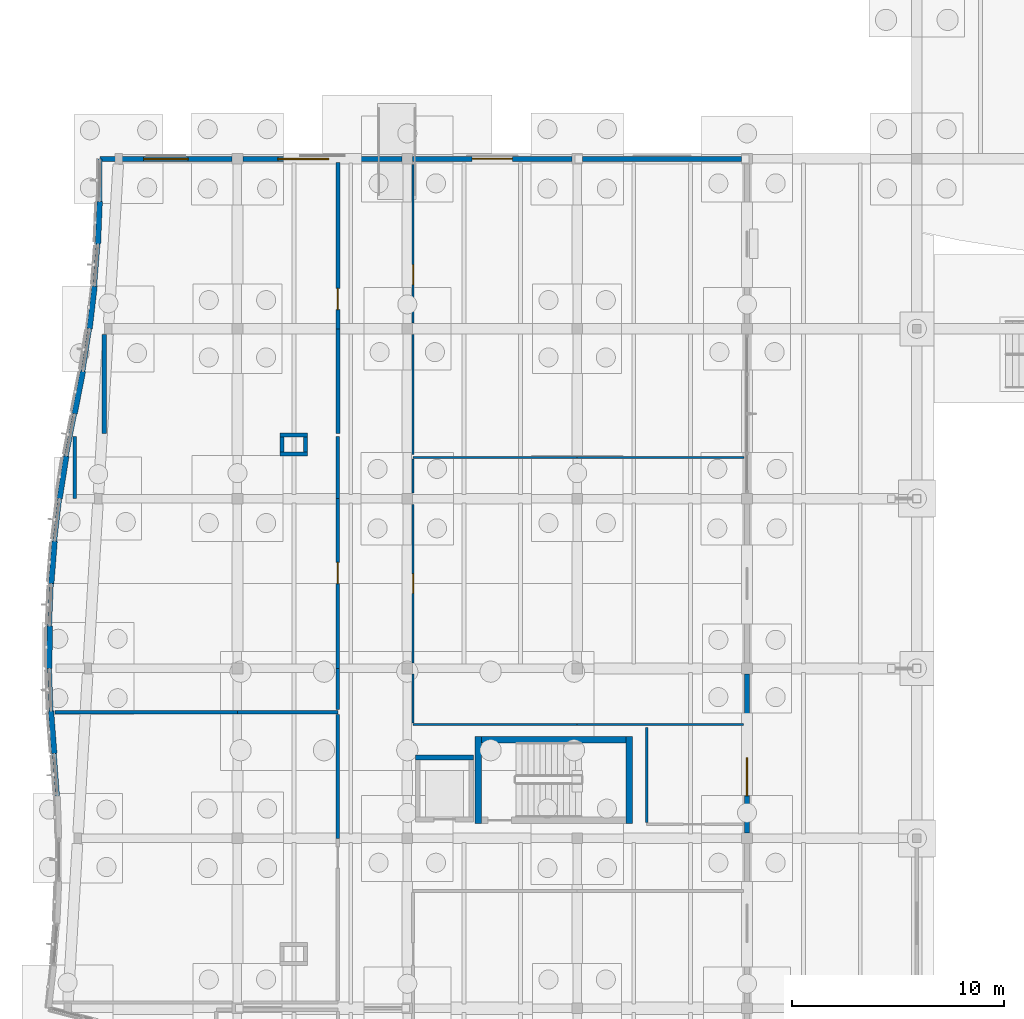
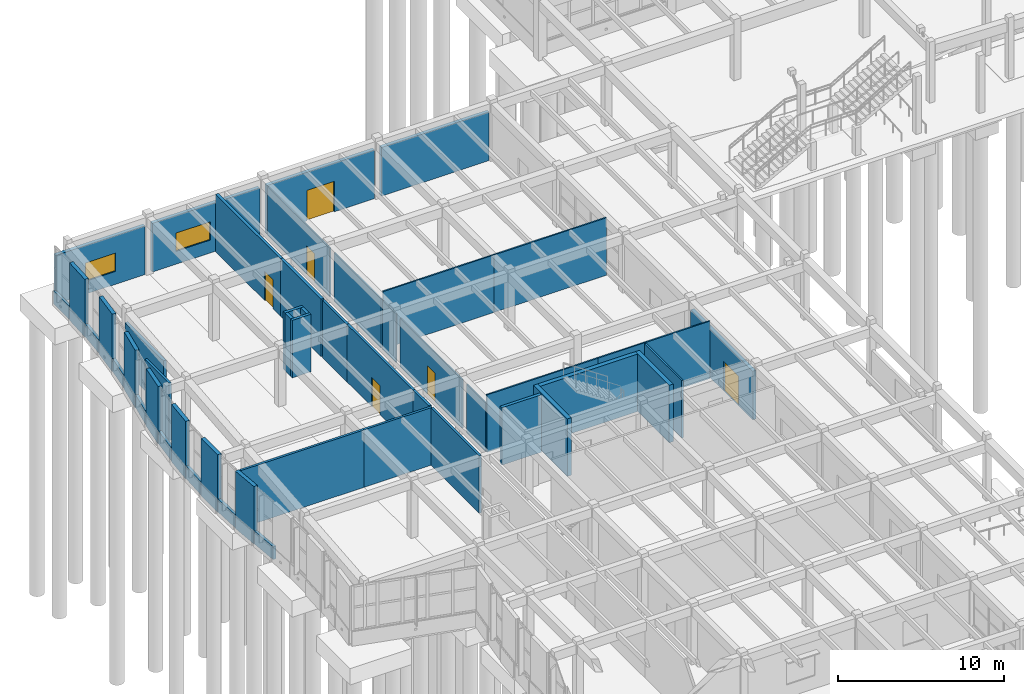
# One storey, part 64 of 99: 48 walls, 6 doors, 2 windows, 8 openings.
"""IFC4 building model written with IfcOpenShell, lengths in metres."""

from ifc_helpers import new_model, si_unit, direction, frame, frame_2d, origin, place, context, subcontext, project, spatial, rectangle, extrude, material, layer, layer_set, type_object, element, fill, save


model = new_model("IFC4")

# Units and contexts
model_context = context("Model", 3, precision=1e-05, world=origin(), true_north=direction((0.0, 1.0)))
body_context = subcontext(model_context, "Body", "Model", "MODEL_VIEW")
ifc_project = project(units=[si_unit("LENGTHUNIT", "METRE"), si_unit("AREAUNIT", "SQUARE_METRE"), si_unit("VOLUMEUNIT", "CUBIC_METRE"), si_unit("PLANEANGLEUNIT", "RADIAN"), si_unit("MASSUNIT", "GRAM", prefix="KILO")], contexts=[model_context])

# Site, building, storey
site_placement = place(None, origin())
site = spatial("IfcSite", under=ifc_project, at=site_placement, CompositionType="ELEMENT")
building_placement = place(site_placement, origin())
building = spatial("IfcBuilding", under=site, at=building_placement, Name="Tonlespit Floodbar School", CompositionType="ELEMENT")
storey_placement = place(building_placement, origin())
storey = spatial("IfcBuildingStorey", under=building, at=storey_placement, Name="L00", CompositionType="ELEMENT", Elevation=0.0)

# Walls
ifc_material_1 = material(Name="Concrete C40/50", Category="concrete")
ifc_layer_1 = layer(ifc_material_1, 0.300048828125)
ifc_layer_set_1 = layer_set([ifc_layer_1], Name="Concrete C40/50")
wall_type_1 = type_object("IfcWallType", Name="CoreWall_RC_300", PredefinedType="SHEAR", material=ifc_layer_set_1)
for number, where, z_axis, x_axis, name in (
    (1, (23.35009765625, 64.699951171875, 0.0), (0.0, 0.0, 1.0), (0.0, 1.0, 0.0), "L00 core C3 shear wall NEAR"),
    (2, (30.449951171875, 68.800048828125, 0.0), (0.0, 0.0, 1.0), (0.0, -1.0, 0.0), "L00 core C3 shear wall FAR"),
):
    element("IfcWall", number, at=place(storey_placement, frame(where, z_axis=z_axis, x_axis=x_axis)), inside=storey, type_object=wall_type_1, Name=name, PredefinedType="SHEAR", context=body_context, shape_type="SweptSolid", body=[
        extrude(rectangle(XDim=4.10009765625, YDim=0.300048828125, at=frame_2d((2.050048828125, 0.0))), origin(), (0.0, 0.0, 1.0), 4.239990234375),
    ])
wall_1_placement = place(storey_placement, frame((30.300048828125, 68.64990234375, 0.0), z_axis=(0.0, 0.0, 1.0), x_axis=(-1.0, 0.0, 0.0)))
element("IfcWall", 3, at=wall_1_placement, inside=storey, type_object=wall_type_1, Name="L00 core C3 shear wall RGHT", PredefinedType="SHEAR", context=body_context, shape_type="SweptSolid", body=[
    extrude(rectangle(XDim=6.800048828125, YDim=0.300048828125, at=frame_2d((3.39990234375, 0.0))), origin(), (0.0, 0.0, 1.0), 4.239990234375),
])

# Wall, opening, window
ifc_material_2 = material(Name="Precast concrete C40/50", Category="concrete")
ifc_layer_2 = layer(ifc_material_2, 0.239990234375)
ifc_layer_set_2 = layer_set([ifc_layer_2], Name="Precast concrete C40/50")
wall_type_2 = type_object("IfcWallType", Name="ExtWall_Rainscreen_240", PredefinedType="SOLIDWALL", material=ifc_layer_set_2)
wall_2_placement = place(storey_placement, frame((5.514892578125, 96.0, 0.0), z_axis=(0.0, 0.0, 1.0), x_axis=(1.0, 0.0, 0.0)))
wall_2 = element("IfcWall", 4, at=wall_2_placement, inside=storey, type_object=wall_type_2, Name="L00 external wall 0319", PredefinedType="SOLIDWALL", context=body_context, shape_type="SweptSolid", body=[
    extrude(rectangle(XDim=6.235107421875, YDim=0.239990234375, at=frame_2d((3.11767578125, 0.0))), origin(), (0.0, 0.0, 1.0), 3.590087890625),
])
opening_1_placement = place(wall_2_placement, frame((2.0673828125, 0.0, 0.949951171875)))
opening_1 = element("IfcOpeningElement", 5, at=opening_1_placement, cuts=wall_2, Name="Opening W-L00-019", PredefinedType="OPENING", context=body_context, shape_type="SweptSolid", body=[
    extrude(rectangle(XDim=2.10009765625, YDim=1.35009765625, at=frame_2d((1.050048828125, 0.675048828125))), frame((0.0, 0.1298828125, 0.0), z_axis=(0.0, -1.0, 0.0), x_axis=(1.0, 0.0, 0.0)), (0.0, 0.0, 1.0), 0.260009765625),
])
ifc_material_3 = material(Name="Tempered Double Glazing", Category="glass")
window_type_1 = type_object("IfcWindowType", Name="Win_Mod_2100x1350", PartitioningType="DOUBLE_PANEL_VERTICAL", PredefinedType="WINDOW", material=ifc_material_3)
window_1_placement = place(opening_1_placement, origin())
window_1 = element("IfcWindow", 6, at=window_1_placement, inside=storey, type_object=window_type_1, Name="L00 window W-L00-019", OverallHeight=1.35009765625, OverallWidth=2.10009765625, PartitioningType="DOUBLE_PANEL_VERTICAL", PredefinedType="WINDOW", context=body_context, shape_type="SweptSolid", body=[
    extrude(rectangle(XDim=2.10009765625, YDim=1.35009765625, at=frame_2d((1.050048828125, 0.675048828125))), frame((0.0, 0.030029296875, 0.0), z_axis=(0.0, -1.0, 0.0), x_axis=(1.0, 0.0, 0.0)), (0.0, 0.0, 1.0), 0.06005859375),
])
fill(opening_1, window_1)

wall_3_placement = place(storey_placement, frame((12.25, 96.0, 0.0), z_axis=(0.0, 0.0, 1.0), x_axis=(1.0, 0.0, 0.0)))
wall_3 = element("IfcWall", 7, at=wall_3_placement, inside=storey, type_object=wall_type_2, Name="L00 external wall 0320", PredefinedType="SOLIDWALL", context=body_context, shape_type="SweptSolid", body=[
    extrude(rectangle(XDim=7.5, YDim=0.239990234375, at=frame_2d((3.75, 0.0))), origin(), (0.0, 0.0, 1.0), 3.590087890625),
])
opening_2_placement = place(wall_3_placement, frame((1.64990234375, 0.0, 0.949951171875)))
opening_2 = element("IfcOpeningElement", 8, at=opening_2_placement, cuts=wall_3, Name="Opening W-L00-020", PredefinedType="OPENING", context=body_context, shape_type="SweptSolid", body=[
    extrude(rectangle(XDim=2.39990234375, YDim=1.35009765625, at=frame_2d((1.199951171875, 0.675048828125))), frame((0.0, 0.1298828125, 0.0), z_axis=(0.0, -1.0, 0.0), x_axis=(1.0, 0.0, 0.0)), (0.0, 0.0, 1.0), 0.260009765625),
])
window_type_2 = type_object("IfcWindowType", Name="Win_Mod_2400x1350", PartitioningType="DOUBLE_PANEL_VERTICAL", PredefinedType="WINDOW", material=ifc_material_3)
window_2_placement = place(opening_2_placement, origin())
window_2 = element("IfcWindow", 9, at=window_2_placement, inside=storey, type_object=window_type_2, Name="L00 window W-L00-020", OverallHeight=1.35009765625, OverallWidth=2.39990234375, PartitioningType="DOUBLE_PANEL_VERTICAL", PredefinedType="WINDOW", context=body_context, shape_type="SweptSolid", body=[
    extrude(rectangle(XDim=2.39990234375, YDim=1.35009765625, at=frame_2d((1.199951171875, 0.675048828125))), frame((0.0, 0.030029296875, 0.0), z_axis=(0.0, -1.0, 0.0), x_axis=(1.0, 0.0, 0.0)), (0.0, 0.0, 1.0), 0.06005859375),
])
fill(opening_2, window_2)

# Wall, opening, door
wall_4_placement = place(storey_placement, frame((20.25, 96.0, 0.0), z_axis=(0.0, 0.0, 1.0), x_axis=(1.0, 0.0, 0.0)))
wall_4 = element("IfcWall", 10, at=wall_4_placement, inside=storey, type_object=wall_type_2, Name="L00 external wall 0321", PredefinedType="SOLIDWALL", context=body_context, shape_type="SweptSolid", body=[
    extrude(rectangle(XDim=7.5, YDim=0.239990234375, at=frame_2d((3.75, 0.0))), origin(), (0.0, 0.0, 1.0), 3.590087890625),
])
opening_3_placement = place(wall_4_placement, frame((2.800048828125, 0.0, 0.0)))
opening_3 = element("IfcOpeningElement", 11, at=opening_3_placement, cuts=wall_4, Name="Opening D-EX-013", PredefinedType="OPENING", context=body_context, shape_type="SweptSolid", body=[
    extrude(rectangle(XDim=1.89990234375, YDim=2.25, at=frame_2d((0.949951171875, 1.125))), frame((0.0, 0.1298828125, 0.0), z_axis=(0.0, -1.0, 0.0), x_axis=(1.0, 0.0, 0.0)), (0.0, 0.0, 1.0), 0.260009765625),
])
ifc_material_4 = material(Name="Anodised Aluminium", Category="aluminium")
door_type_1 = type_object("IfcDoorType", Name="ExtDoor_Exit_1900x2250", OperationType="NOTDEFINED", PredefinedType="DOOR", material=ifc_material_4)
door_1_placement = place(opening_3_placement, origin())
door_1 = element("IfcDoor", 12, at=door_1_placement, inside=storey, type_object=door_type_1, Name="Final exit door D-EX-013", OperationType="SINGLE_SWING_LEFT", OverallHeight=2.25, OverallWidth=1.89990234375, PredefinedType="DOOR", context=body_context, shape_type="SweptSolid", body=[
    extrude(rectangle(XDim=1.89990234375, YDim=2.25, at=frame_2d((0.949951171875, 1.125))), frame((0.0, 0.02490234375, 0.0), z_axis=(0.0, -1.0, 0.0), x_axis=(1.0, 0.0, 0.0)), (0.0, 0.0, 1.0), 0.050048828125),
])
fill(opening_3, door_1)

# Wall
wall_5_placement = place(storey_placement, frame((28.25, 96.0, 0.0), z_axis=(0.0, 0.0, 1.0), x_axis=(1.0, 0.0, 0.0)))
element("IfcWall", 13, at=wall_5_placement, inside=storey, type_object=wall_type_2, Name="L00 external wall 0322", PredefinedType="SOLIDWALL", context=body_context, shape_type="SweptSolid", body=[
    extrude(rectangle(XDim=7.5, YDim=0.239990234375, at=frame_2d((3.75, 0.0))), origin(), (0.0, 0.0, 1.0), 3.590087890625),
])

# Wall, opening, door
wall_6_placement = place(storey_placement, frame((36.0, 71.75, 0.0), z_axis=(0.0, 0.0, 1.0), x_axis=(0.0, -1.0, 0.0)))
wall_6 = element("IfcWall", 14, at=wall_6_placement, inside=storey, type_object=wall_type_2, Name="L00 external wall 0326", PredefinedType="SOLIDWALL", context=body_context, shape_type="SweptSolid", body=[
    extrude(rectangle(XDim=7.5, YDim=0.239990234375, at=frame_2d((3.75, 0.0))), origin(), (0.0, 0.0, 1.0), 3.590087890625),
])
opening_4_placement = place(wall_6_placement, frame((3.949951171875, 0.0, 0.0)))
opening_4 = element("IfcOpeningElement", 15, at=opening_4_placement, cuts=wall_6, Name="Opening D-EX-014", PredefinedType="OPENING", context=body_context, shape_type="SweptSolid", body=[
    extrude(rectangle(XDim=1.800048828125, YDim=2.199951171875, at=frame_2d((0.89990234375, 1.10009765625))), frame((0.0, 0.1298828125, 0.0), z_axis=(0.0, -1.0, 0.0), x_axis=(1.0, 0.0, 0.0)), (0.0, 0.0, 1.0), 0.260009765625),
])
door_type_2 = type_object("IfcDoorType", Name="ExtDoor_Exit_1800x2200", OperationType="NOTDEFINED", PredefinedType="DOOR", material=ifc_material_4)
door_2_placement = place(opening_4_placement, origin())
door_2 = element("IfcDoor", 16, at=door_2_placement, inside=storey, type_object=door_type_2, Name="Final exit door D-EX-014", OperationType="SINGLE_SWING_RIGHT", OverallHeight=2.199951171875, OverallWidth=1.800048828125, PredefinedType="DOOR", context=body_context, shape_type="SweptSolid", body=[
    extrude(rectangle(XDim=1.800048828125, YDim=2.199951171875, at=frame_2d((0.89990234375, 1.10009765625))), frame((0.0, 0.02490234375, 0.0), z_axis=(0.0, -1.0, 0.0), x_axis=(1.0, 0.0, 0.0)), (0.0, 0.0, 1.0), 0.050048828125),
])
fill(opening_4, door_2)

# Walls
ifc_layer_3 = layer(ifc_material_2, 0.260009765625)
ifc_layer_set_3 = layer_set([ifc_layer_3], Name="Precast concrete C40/50")
wall_type_3 = type_object("IfcWallType", Name="ExtWall_Rainscreen_260", PredefinedType="SOLIDWALL", material=ifc_layer_set_3)
wall_7_placement = place(storey_placement, frame((3.3701171875, 68.0, 0.0), z_axis=(0.0, 0.0, 1.0), x_axis=(-0.075709813676, 0.9971298933, 0.0)))
element("IfcWall", 17, at=wall_7_placement, inside=storey, type_object=wall_type_3, Name="L00 external wall 0305", PredefinedType="SOLIDWALL", context=body_context, shape_type="SweptSolid", body=[
    extrude(rectangle(XDim=2.005859375, YDim=0.260009765625, at=frame_2d((1.0029296875, 0.0))), origin(), (0.0, 0.0, 1.0), 4.239990234375),
])
wall_8_placement = place(storey_placement, frame((3.14501953125, 72.0, 0.0), z_axis=(0.0, 0.0, 1.0), x_axis=(0.002197260321, 0.999997586021, 0.0)))
element("IfcWall", 18, at=wall_8_placement, inside=storey, type_object=wall_type_3, Name="L00 external wall 0307", PredefinedType="SOLIDWALL", context=body_context, shape_type="SweptSolid", body=[
    extrude(rectangle(XDim=2.0, YDim=0.260009765625, at=frame_2d((1.0, 0.0))), origin(), (0.0, 0.0, 1.0), 4.239990234375),
])
wall_9_placement = place(storey_placement, frame((3.23095703125, 76.0, 0.0), z_axis=(0.0, 0.0, 1.0), x_axis=(0.078976178075, 0.996876503533, 0.0)))
element("IfcWall", 19, at=wall_9_placement, inside=storey, type_object=wall_type_3, Name="L00 external wall 0309", PredefinedType="SOLIDWALL", context=body_context, shape_type="SweptSolid", body=[
    extrude(rectangle(XDim=2.00634765625, YDim=0.260009765625, at=frame_2d((1.003173828125, 0.0))), origin(), (0.0, 0.0, 1.0), 4.239990234375),
])
wall_10_placement = place(storey_placement, frame((3.625, 80.0, 0.0), z_axis=(0.0, 0.0, 1.0), x_axis=(0.15473004848, 0.987956786554, 0.0)))
element("IfcWall", 20, at=wall_10_placement, inside=storey, type_object=wall_type_3, Name="L00 external wall 0311", PredefinedType="SOLIDWALL", context=body_context, shape_type="SweptSolid", body=[
    extrude(rectangle(XDim=2.0244140625, YDim=0.260009765625, at=frame_2d((1.01220703125, 0.0))), origin(), (0.0, 0.0, 1.0), 4.239990234375),
])
wall_11_placement = place(storey_placement, frame((4.330078125, 84.0, 0.0), z_axis=(0.0, 0.0, 1.0), x_axis=(0.192152065658, 0.981365163262, 0.0)))
element("IfcWall", 21, at=wall_11_placement, inside=storey, type_object=wall_type_3, Name="L00 external wall 0313", PredefinedType="SOLIDWALL", context=body_context, shape_type="SweptSolid", body=[
    extrude(rectangle(XDim=2.0380859375, YDim=0.260009765625, at=frame_2d((1.01904296875, 0.0))), origin(), (0.0, 0.0, 1.0), 4.239990234375),
])
wall_12_placement = place(storey_placement, frame((5.034912109375, 88.0, 0.0), z_axis=(0.0, 0.0, 1.0), x_axis=(0.116988959085, 0.99313321536, 0.0)))
element("IfcWall", 22, at=wall_12_placement, inside=storey, type_object=wall_type_3, Name="L00 external wall 0315", PredefinedType="SOLIDWALL", context=body_context, shape_type="SweptSolid", body=[
    extrude(rectangle(XDim=2.013916015625, YDim=0.260009765625, at=frame_2d((1.0068359375, 0.0))), origin(), (0.0, 0.0, 1.0), 4.239990234375),
])
wall_13_placement = place(storey_placement, frame((5.42919921875, 92.0, 0.0), z_axis=(0.0, 0.0, 1.0), x_axis=(0.04061587159, 0.999174835039, 0.0)))
element("IfcWall", 23, at=wall_13_placement, inside=storey, type_object=wall_type_3, Name="L00 external wall 0317", PredefinedType="SOLIDWALL", context=body_context, shape_type="SweptSolid", body=[
    extrude(rectangle(XDim=2.001708984375, YDim=0.260009765625, at=frame_2d((1.0009765625, 0.0))), origin(), (0.0, 0.0, 1.0), 4.239990234375),
])
ifc_material_5 = material(Name="White Architectural Precast concrete C40/50", Category="concrete")
ifc_layer_4 = layer(ifc_material_5, 0.199951171875)
ifc_layer_set_4 = layer_set([ifc_layer_4], Name="White Architectural Precast concrete C40/50")
wall_type_4 = type_object("IfcWallType", Name="ExtWall_Spandrel_White_200", PredefinedType="SOLIDWALL", material=ifc_layer_set_4)
wall_14_placement = place(storey_placement, frame((3.521728515625, 66.0, 0.0), z_axis=(0.0, 0.0, 1.0), x_axis=(-0.075588789742, 0.997139074987, 0.0)))
element("IfcWall", 24, at=wall_14_placement, inside=storey, type_object=wall_type_4, Name="L00 spandrel wall 0304", PredefinedType="SOLIDWALL", context=body_context, shape_type="SweptSolid", body=[
    extrude(rectangle(XDim=2.005859375, YDim=0.199951171875, at=frame_2d((1.0029296875, 0.0))), origin(), (0.0, 0.0, 1.0), 0.949951171875),
])
wall_15_placement = place(storey_placement, frame((3.21826171875, 70.0, 0.0), z_axis=(0.0, 0.0, 1.0), x_axis=(-0.036596562065, 0.999330121454, 0.0)))
element("IfcWall", 25, at=wall_15_placement, inside=storey, type_object=wall_type_4, Name="L00 spandrel wall 0306", PredefinedType="SOLIDWALL", context=body_context, shape_type="SweptSolid", body=[
    extrude(rectangle(XDim=2.001220703125, YDim=0.199951171875, at=frame_2d((1.00048828125, 0.0))), origin(), (0.0, 0.0, 1.0), 0.949951171875),
])
wall_16_placement = place(storey_placement, frame((3.1494140625, 74.0, 0.0), z_axis=(0.0, 0.0, 1.0), x_axis=(0.040737639062, 0.99916987783, 0.0)))
element("IfcWall", 26, at=wall_16_placement, inside=storey, type_object=wall_type_4, Name="L00 spandrel wall 0308", PredefinedType="SOLIDWALL", context=body_context, shape_type="SweptSolid", body=[
    extrude(rectangle(XDim=2.001708984375, YDim=0.199951171875, at=frame_2d((1.0009765625, 0.0))), origin(), (0.0, 0.0, 1.0), 0.949951171875),
])
wall_17_placement = place(storey_placement, frame((3.389404296875, 78.0, 0.0), z_axis=(0.0, 0.0, 1.0), x_axis=(0.116988959085, 0.99313321536, 0.0)))
element("IfcWall", 27, at=wall_17_placement, inside=storey, type_object=wall_type_4, Name="L00 spandrel wall 0310", PredefinedType="SOLIDWALL", context=body_context, shape_type="SweptSolid", body=[
    extrude(rectangle(XDim=2.013916015625, YDim=0.199951171875, at=frame_2d((1.0068359375, 0.0))), origin(), (0.0, 0.0, 1.0), 0.949951171875),
])
wall_18_placement = place(storey_placement, frame((3.938232421875, 82.0, 0.0), z_axis=(0.0, 0.0, 1.0), x_axis=(0.192267434085, 0.981342566992, 0.0)))
element("IfcWall", 28, at=wall_18_placement, inside=storey, type_object=wall_type_4, Name="L00 spandrel wall 0312", PredefinedType="SOLIDWALL", context=body_context, shape_type="SweptSolid", body=[
    extrude(rectangle(XDim=2.0380859375, YDim=0.199951171875, at=frame_2d((1.01904296875, 0.0))), origin(), (0.0, 0.0, 1.0), 0.949951171875),
])
wall_19_placement = place(storey_placement, frame((4.7216796875, 86.0, 0.0), z_axis=(0.0, 0.0, 1.0), x_axis=(0.15473004848, 0.987956786554, 0.0)))
element("IfcWall", 29, at=wall_19_placement, inside=storey, type_object=wall_type_4, Name="L00 spandrel wall 0314", PredefinedType="SOLIDWALL", context=body_context, shape_type="SweptSolid", body=[
    extrude(rectangle(XDim=2.0244140625, YDim=0.199951171875, at=frame_2d((1.01220703125, 0.0))), origin(), (0.0, 0.0, 1.0), 0.949951171875),
])
wall_20_placement = place(storey_placement, frame((5.2705078125, 90.0, 0.0), z_axis=(0.0, 0.0, 1.0), x_axis=(0.079097106354, 0.996866915775, 0.0)))
element("IfcWall", 30, at=wall_20_placement, inside=storey, type_object=wall_type_4, Name="L00 spandrel wall 0316", PredefinedType="SOLIDWALL", context=body_context, shape_type="SweptSolid", body=[
    extrude(rectangle(XDim=2.00634765625, YDim=0.199951171875, at=frame_2d((1.003173828125, 0.0))), origin(), (0.0, 0.0, 1.0), 0.949951171875),
])
wall_21_placement = place(storey_placement, frame((5.510498046875, 94.0, 0.0), z_axis=(0.0, 0.0, 1.0), x_axis=(0.002197260321, 0.999997586021, 0.0)))
element("IfcWall", 31, at=wall_21_placement, inside=storey, type_object=wall_type_4, Name="L00 spandrel wall 0318", PredefinedType="SOLIDWALL", context=body_context, shape_type="SweptSolid", body=[
    extrude(rectangle(XDim=2.0, YDim=0.199951171875, at=frame_2d((1.0, 0.0))), origin(), (0.0, 0.0, 1.0), 0.949951171875),
])
ifc_material_6 = material(Name="Gypsum Plasterboard Partition")
ifc_layer_5 = layer(ifc_material_6, 0.159912109375)
ifc_layer_set_5 = layer_set([ifc_layer_5], Name="Gypsum Plasterboard Partition")
wall_type_5 = type_object("IfcWallType", Name="FireWall_Lab_160", PredefinedType="PARTITIONING", material=ifc_layer_set_5)
wall_22_placement = place(storey_placement, frame((3.3955078125, 69.929931640625, 0.0), z_axis=(0.0, 0.0, 1.0), x_axis=(1.0, 0.0, 0.0)))
element("IfcWall", 32, at=wall_22_placement, inside=storey, type_object=wall_type_5, Name="L00 partition wall 0151", PredefinedType="PARTITIONING", context=body_context, shape_type="SweptSolid", body=[
    extrude(rectangle(XDim=8.6044921875, YDim=0.159912109375, at=frame_2d((4.30224609375, 0.0))), origin(), (0.0, 0.0, 1.0), 4.239990234375),
])
wall_23_placement = place(storey_placement, frame((12.0, 69.929931640625, 0.0), z_axis=(0.0, 0.0, 1.0), x_axis=(1.0, 0.0, 0.0)))
element("IfcWall", 33, at=wall_23_placement, inside=storey, type_object=wall_type_5, Name="L00 partition wall 0152", PredefinedType="PARTITIONING", context=body_context, shape_type="SweptSolid", body=[
    extrude(rectangle(XDim=4.72998046875, YDim=0.159912109375, at=frame_2d((2.364990234375, 0.0))), origin(), (0.0, 0.0, 1.0), 4.239990234375),
])
wall_24_placement = place(storey_placement, frame((16.72998046875, 64.0, 0.0), z_axis=(0.0, 0.0, 1.0), x_axis=(0.0, 1.0, 0.0)))
element("IfcWall", 34, at=wall_24_placement, inside=storey, type_object=wall_type_5, Name="L00 partition wall 0154", PredefinedType="PARTITIONING", context=body_context, shape_type="SweptSolid", body=[
    extrude(rectangle(XDim=5.8349609375, YDim=0.159912109375, at=frame_2d((2.91748046875, 0.0))), origin(), (0.0, 0.0, 1.0), 4.239990234375),
])
wall_25_placement = place(storey_placement, frame((4.333984375, 80.0, 0.0), z_axis=(0.0, 0.0, 1.0), x_axis=(0.0, 1.0, 0.0)))
element("IfcWall", 35, at=wall_25_placement, inside=storey, type_object=wall_type_5, Name="L00 partition wall 0155", PredefinedType="PARTITIONING", context=body_context, shape_type="SweptSolid", body=[
    extrude(rectangle(XDim=2.929931640625, YDim=0.159912109375, at=frame_2d((1.46484375, 0.0))), origin(), (0.0, 0.0, 1.0), 4.239990234375),
])
wall_26_placement = place(storey_placement, frame((16.72998046875, 70.070068359375, 0.0), z_axis=(0.0, 0.0, 1.0), x_axis=(0.0, 1.0, 0.0)))
element("IfcWall", 36, at=wall_26_placement, inside=storey, type_object=wall_type_5, Name="L00 partition wall 0156", PredefinedType="PARTITIONING", context=body_context, shape_type="SweptSolid", body=[
    extrude(rectangle(XDim=1.929931640625, YDim=0.159912109375, at=frame_2d((0.96484375, 0.0))), origin(), (0.0, 0.0, 1.0), 4.239990234375),
])

# Wall, opening, door
wall_27_placement = place(storey_placement, frame((16.72998046875, 72.0, 0.0), z_axis=(0.0, 0.0, 1.0), x_axis=(0.0, 1.0, 0.0)))
wall_27 = element("IfcWall", 37, at=wall_27_placement, inside=storey, type_object=wall_type_5, Name="L00 partition wall 0157", PredefinedType="PARTITIONING", context=body_context, shape_type="SweptSolid", body=[
    extrude(rectangle(XDim=8.0, YDim=0.159912109375, at=frame_2d((4.0, 0.0))), origin(), (0.0, 0.0, 1.0), 4.239990234375),
])
opening_5_placement = place(wall_27_placement, frame((4.0, 0.0, 0.0)))
opening_5 = element("IfcOpeningElement", 38, at=opening_5_placement, cuts=wall_27, Name="Opening D-L00-048", PredefinedType="OPENING", context=body_context, shape_type="SweptSolid", body=[
    extrude(rectangle(XDim=1.0, YDim=2.14990234375, at=frame_2d((0.5, 1.074951171875))), frame((0.0, 0.08984375, 0.0), z_axis=(0.0, -1.0, 0.0), x_axis=(1.0, 0.0, 0.0)), (0.0, 0.0, 1.0), 0.179931640625),
])
ifc_material_7 = material(Name="Hardwood Timber", Category="wood")
door_type_3 = type_object("IfcDoorType", Name="FireDoor_Compartment_1000x2150", OperationType="NOTDEFINED", PredefinedType="DOOR", material=ifc_material_7)
door_3_placement = place(opening_5_placement, origin())
door_3 = element("IfcDoor", 39, at=door_3_placement, inside=storey, type_object=door_type_3, Name="L00 interior door D-L00-048", OperationType="SINGLE_SWING_LEFT", OverallHeight=2.14990234375, OverallWidth=1.0, PredefinedType="DOOR", context=body_context, shape_type="SweptSolid", body=[
    extrude(rectangle(XDim=1.0, YDim=2.14990234375, at=frame_2d((0.5, 1.074951171875))), frame((0.0, 0.02490234375, 0.0), z_axis=(0.0, -1.0, 0.0), x_axis=(1.0, 0.0, 0.0)), (0.0, 0.0, 1.0), 0.050048828125),
])
fill(opening_5, door_3)

# Walls
wall_28_placement = place(storey_placement, frame((16.72998046875, 80.0, 0.0), z_axis=(0.0, 0.0, 1.0), x_axis=(0.0, 1.0, 0.0)))
element("IfcWall", 40, at=wall_28_placement, inside=storey, type_object=wall_type_5, Name="L00 partition wall 0158", PredefinedType="PARTITIONING", context=body_context, shape_type="SweptSolid", body=[
    extrude(rectangle(XDim=2.929931640625, YDim=0.159912109375, at=frame_2d((1.46484375, 0.0))), origin(), (0.0, 0.0, 1.0), 4.239990234375),
])
ifc_layer_6 = layer(ifc_material_1, 0.199951171875)
ifc_layer_set_6 = layer_set([ifc_layer_6], Name="Concrete C40/50")
wall_type_6 = type_object("IfcWallType", Name="FireWall_Plant_200", PredefinedType="PARTITIONING", material=ifc_layer_set_6)
for number, where, z_axis, x_axis, name in (
    (41, (15.300048828125, 82.10009765625, 0.0), (0.0, 0.0, 1.0), (-1.0, 0.0, 0.0), "L00 service riser 04 wall S"),
    (42, (14.0, 83.0, 0.0), (0.0, 0.0, 1.0), (1.0, 0.0, 0.0), "L00 service riser 04 wall N"),
):
    element("IfcWall", number, at=place(storey_placement, frame(where, z_axis=z_axis, x_axis=x_axis)), inside=storey, type_object=wall_type_6, Name=name, PredefinedType="PARTITIONING", context=body_context, shape_type="SweptSolid", body=[
        extrude(rectangle(XDim=1.300048828125, YDim=0.199951171875, at=frame_2d((0.64990234375, 0.0))), origin(), (0.0, 0.0, 1.0), 4.239990234375),
    ])
for number, where, z_axis, x_axis, name in (
    (43, (14.10009765625, 82.199951171875, 0.0), (0.0, 0.0, 1.0), (0.0, 1.0, 0.0), "L00 service riser 04 wall W"),
    (44, (15.199951171875, 82.89990234375, 0.0), (0.0, 0.0, 1.0), (0.0, -1.0, 0.0), "L00 service riser 04 wall E"),
):
    element("IfcWall", number, at=place(storey_placement, frame(where, z_axis=z_axis, x_axis=x_axis)), inside=storey, type_object=wall_type_6, Name=name, PredefinedType="PARTITIONING", context=body_context, shape_type="SweptSolid", body=[
        extrude(rectangle(XDim=0.699951171875, YDim=0.199951171875, at=frame_2d((0.35009765625, 0.0))), origin(), (0.0, 0.0, 1.0), 4.239990234375),
    ])
wall_29_placement = place(storey_placement, frame((5.72802734375, 83.070068359375, 0.0), z_axis=(0.0, 0.0, 1.0), x_axis=(0.0, 1.0, 0.0)))
element("IfcWall", 45, at=wall_29_placement, inside=storey, type_object=wall_type_6, Name="L00 partition wall 0159", PredefinedType="PARTITIONING", context=body_context, shape_type="SweptSolid", body=[
    extrude(rectangle(XDim=4.6650390625, YDim=0.199951171875, at=frame_2d((2.33251953125, 0.0))), origin(), (0.0, 0.0, 1.0), 3.5400390625),
])
wall_30_placement = place(storey_placement, frame((16.72998046875, 83.070068359375, 0.0), z_axis=(0.0, 0.0, 1.0), x_axis=(0.0, 1.0, 0.0)))
element("IfcWall", 46, at=wall_30_placement, inside=storey, type_object=wall_type_6, Name="L00 partition wall 0160", PredefinedType="PARTITIONING", context=body_context, shape_type="SweptSolid", body=[
    extrude(rectangle(XDim=4.929931640625, YDim=0.199951171875, at=frame_2d((2.46484375, 0.0))), origin(), (0.0, 0.0, 1.0), 4.239990234375),
])

# Wall, opening, door
wall_31_placement = place(storey_placement, frame((16.72998046875, 88.0, 0.0), z_axis=(0.0, 0.0, 1.0), x_axis=(0.0, 1.0, 0.0)))
wall_31 = element("IfcWall", 47, at=wall_31_placement, inside=storey, type_object=wall_type_6, Name="L00 partition wall 0161", PredefinedType="PARTITIONING", context=body_context, shape_type="SweptSolid", body=[
    extrude(rectangle(XDim=7.837890625, YDim=0.199951171875, at=frame_2d((3.9189453125, 0.0))), origin(), (0.0, 0.0, 1.0), 4.239990234375),
])
opening_6_placement = place(wall_31_placement, frame((0.89990234375, 0.0, 0.0)))
opening_6 = element("IfcOpeningElement", 48, at=opening_6_placement, cuts=wall_31, Name="Opening D-L00-049", PredefinedType="OPENING", context=body_context, shape_type="SweptSolid", body=[
    extrude(rectangle(XDim=1.0, YDim=2.14990234375, at=frame_2d((0.5, 1.074951171875))), frame((0.0, 0.10986328125, 0.0), z_axis=(0.0, -1.0, 0.0), x_axis=(1.0, 0.0, 0.0)), (0.0, 0.0, 1.0), 0.219970703125),
])
door_4_placement = place(opening_6_placement, origin())
door_4 = element("IfcDoor", 49, at=door_4_placement, inside=storey, type_object=door_type_3, Name="L00 interior door D-L00-049", OperationType="SINGLE_SWING_RIGHT", OverallHeight=2.14990234375, OverallWidth=1.0, PredefinedType="DOOR", context=body_context, shape_type="SweptSolid", body=[
    extrude(rectangle(XDim=1.0, YDim=2.14990234375, at=frame_2d((0.5, 1.074951171875))), frame((0.0, 0.02490234375, 0.0), z_axis=(0.0, -1.0, 0.0), x_axis=(1.0, 0.0, 0.0)), (0.0, 0.0, 1.0), 0.050048828125),
])
fill(opening_6, door_4)

# Walls
ifc_layer_7 = layer(ifc_material_6, 0.10009765625)
ifc_layer_set_7 = layer_set([ifc_layer_7], Name="Gypsum Plasterboard Partition")
wall_type_7 = type_object("IfcWallType", Name="Partition_Gyp_100", PredefinedType="PARTITIONING", material=ifc_layer_set_7)
wall_32_placement = place(storey_placement, frame((20.27001953125, 69.3701171875, 0.0), z_axis=(0.0, 0.0, 1.0), x_axis=(1.0, 0.0, 0.0)))
element("IfcWall", 50, at=wall_32_placement, inside=storey, type_object=wall_type_7, Name="L00 partition wall 0162", PredefinedType="PARTITIONING", context=body_context, shape_type="SweptSolid", body=[
    extrude(rectangle(XDim=7.72998046875, YDim=0.10009765625, at=frame_2d((3.864990234375, 0.0))), origin(), (0.0, 0.0, 1.0), 4.239990234375),
])
wall_33_placement = place(storey_placement, frame((28.0, 69.3701171875, 0.0), z_axis=(0.0, 0.0, 1.0), x_axis=(1.0, 0.0, 0.0)))
element("IfcWall", 51, at=wall_33_placement, inside=storey, type_object=wall_type_7, Name="L00 partition wall 0163", PredefinedType="PARTITIONING", context=body_context, shape_type="SweptSolid", body=[
    extrude(rectangle(XDim=7.837890625, YDim=0.10009765625, at=frame_2d((3.9189453125, 0.0))), origin(), (0.0, 0.0, 1.0), 4.239990234375),
])
wall_34_placement = place(storey_placement, frame((20.27001953125, 81.929931640625, 0.0), z_axis=(0.0, 0.0, 1.0), x_axis=(1.0, 0.0, 0.0)))
element("IfcWall", 52, at=wall_34_placement, inside=storey, type_object=wall_type_7, Name="L00 partition wall 0164", PredefinedType="PARTITIONING", context=body_context, shape_type="SweptSolid", body=[
    extrude(rectangle(XDim=7.72998046875, YDim=0.10009765625, at=frame_2d((3.864990234375, 0.0))), origin(), (0.0, 0.0, 1.0), 4.239990234375),
])
wall_35_placement = place(storey_placement, frame((28.0, 81.929931640625, 0.0), z_axis=(0.0, 0.0, 1.0), x_axis=(1.0, 0.0, 0.0)))
element("IfcWall", 53, at=wall_35_placement, inside=storey, type_object=wall_type_7, Name="L00 partition wall 0165", PredefinedType="PARTITIONING", context=body_context, shape_type="SweptSolid", body=[
    extrude(rectangle(XDim=7.865478515625, YDim=0.10009765625, at=frame_2d((3.9326171875, 0.0))), origin(), (0.0, 0.0, 1.0), 4.239990234375),
])
wall_36_placement = place(storey_placement, frame((20.27001953125, 69.43505859375, 0.0), z_axis=(0.0, 0.0, 1.0), x_axis=(0.0, 1.0, 0.0)))
element("IfcWall", 54, at=wall_36_placement, inside=storey, type_object=wall_type_7, Name="L00 partition wall 0166", PredefinedType="PARTITIONING", context=body_context, shape_type="SweptSolid", body=[
    extrude(rectangle(XDim=2.300048828125, YDim=0.10009765625, at=frame_2d((1.14990234375, 0.0))), origin(), (0.0, 0.0, 1.0), 3.590087890625),
])

# Wall, opening, door
wall_37_placement = place(storey_placement, frame((20.27001953125, 72.264892578125, 0.0), z_axis=(0.0, 0.0, 1.0), x_axis=(0.0, 1.0, 0.0)))
wall_37 = element("IfcWall", 55, at=wall_37_placement, inside=storey, type_object=wall_type_7, Name="L00 partition wall 0167", PredefinedType="PARTITIONING", context=body_context, shape_type="SweptSolid", body=[
    extrude(rectangle(XDim=7.47021484375, YDim=0.10009765625, at=frame_2d((3.735107421875, 0.0))), origin(), (0.0, 0.0, 1.0), 3.590087890625),
])
opening_7_placement = place(wall_37_placement, frame((3.27490234375, 0.0, 0.0)))
opening_7 = element("IfcOpeningElement", 56, at=opening_7_placement, cuts=wall_37, Name="Opening D-L00-050", PredefinedType="OPENING", context=body_context, shape_type="SweptSolid", body=[
    extrude(rectangle(XDim=0.919921875, YDim=2.10009765625, at=frame_2d((0.4599609375, 1.050048828125))), frame((0.0, 0.06005859375, 0.0), z_axis=(0.0, -1.0, 0.0), x_axis=(1.0, 0.0, 0.0)), (0.0, 0.0, 1.0), 0.1201171875),
])
door_type_4 = type_object("IfcDoorType", Name="IntDoor_920x2100", OperationType="NOTDEFINED", PredefinedType="DOOR", material=ifc_material_7)
door_5_placement = place(opening_7_placement, origin())
door_5 = element("IfcDoor", 57, at=door_5_placement, inside=storey, type_object=door_type_4, Name="L00 interior door D-L00-050", OperationType="SINGLE_SWING_LEFT", OverallHeight=2.10009765625, OverallWidth=0.919921875, PredefinedType="DOOR", context=body_context, shape_type="SweptSolid", body=[
    extrude(rectangle(XDim=0.919921875, YDim=2.10009765625, at=frame_2d((0.4599609375, 1.050048828125))), frame((0.0, 0.02490234375, 0.0), z_axis=(0.0, -1.0, 0.0), x_axis=(1.0, 0.0, 0.0)), (0.0, 0.0, 1.0), 0.050048828125),
])
fill(opening_7, door_5)

# Walls
wall_38_placement = place(storey_placement, frame((20.27001953125, 80.264892578125, 0.0), z_axis=(0.0, 0.0, 1.0), x_axis=(0.0, 1.0, 0.0)))
element("IfcWall", 58, at=wall_38_placement, inside=storey, type_object=wall_type_7, Name="L00 partition wall 0168", PredefinedType="PARTITIONING", context=body_context, shape_type="SweptSolid", body=[
    extrude(rectangle(XDim=1.60009765625, YDim=0.10009765625, at=frame_2d((0.800048828125, 0.0))), origin(), (0.0, 0.0, 1.0), 3.590087890625),
])
ifc_layer_8 = layer(ifc_material_6, 0.110107421875)
ifc_layer_set_8 = layer_set([ifc_layer_8], Name="Gypsum Plasterboard Partition")
wall_type_8 = type_object("IfcWallType", Name="Partition_Gyp_110", PredefinedType="PARTITIONING", material=ifc_layer_set_8)
wall_39_placement = place(storey_placement, frame((20.27001953125, 82.070068359375, 0.0), z_axis=(0.0, 0.0, 1.0), x_axis=(0.0, 1.0, 0.0)))
element("IfcWall", 59, at=wall_39_placement, inside=storey, type_object=wall_type_8, Name="L00 partition wall 0169", PredefinedType="PARTITIONING", context=body_context, shape_type="SweptSolid", body=[
    extrude(rectangle(XDim=5.6650390625, YDim=0.110107421875, at=frame_2d((2.83251953125, 0.0))), origin(), (0.0, 0.0, 1.0), 3.590087890625),
])

# Wall, opening, door
wall_40_placement = place(storey_placement, frame((20.27001953125, 88.264892578125, 0.0), z_axis=(0.0, 0.0, 1.0), x_axis=(0.0, 1.0, 0.0)))
wall_40 = element("IfcWall", 60, at=wall_40_placement, inside=storey, type_object=wall_type_8, Name="L00 partition wall 0170", PredefinedType="PARTITIONING", context=body_context, shape_type="SweptSolid", body=[
    extrude(rectangle(XDim=7.47021484375, YDim=0.110107421875, at=frame_2d((3.735107421875, 0.0))), origin(), (0.0, 0.0, 1.0), 3.590087890625),
])
opening_8_placement = place(wall_40_placement, frame((1.81005859375, 0.0, 0.0)))
opening_8 = element("IfcOpeningElement", 61, at=opening_8_placement, cuts=wall_40, Name="Opening D-L00-051", PredefinedType="OPENING", context=body_context, shape_type="SweptSolid", body=[
    extrude(rectangle(XDim=0.949951171875, YDim=2.10009765625, at=frame_2d((0.47509765625, 1.050048828125))), frame((0.0, 0.06494140625, 0.0), z_axis=(0.0, -1.0, 0.0), x_axis=(1.0, 0.0, 0.0)), (0.0, 0.0, 1.0), 0.130126953125),
])
door_type_5 = type_object("IfcDoorType", Name="IntDoor_950x2100", OperationType="NOTDEFINED", PredefinedType="DOOR", material=ifc_material_7)
door_6_placement = place(opening_8_placement, origin())
door_6 = element("IfcDoor", 62, at=door_6_placement, inside=storey, type_object=door_type_5, Name="L00 interior door D-L00-051", OperationType="SINGLE_SWING_RIGHT", OverallHeight=2.10009765625, OverallWidth=0.949951171875, PredefinedType="DOOR", context=body_context, shape_type="SweptSolid", body=[
    extrude(rectangle(XDim=0.949951171875, YDim=2.10009765625, at=frame_2d((0.47509765625, 1.050048828125))), frame((0.0, 0.02490234375, 0.0), z_axis=(0.0, -1.0, 0.0), x_axis=(1.0, 0.0, 0.0)), (0.0, 0.0, 1.0), 0.050048828125),
])
fill(opening_8, door_6)

# Walls
ifc_layer_9 = layer(ifc_material_6, 0.1201171875)
ifc_layer_set_9 = layer_set([ifc_layer_9], Name="Gypsum Plasterboard Partition")
wall_type_9 = type_object("IfcWallType", Name="Partition_Gyp_120", PredefinedType="PARTITIONING", material=ifc_layer_set_9)
wall_41_placement = place(storey_placement, frame((31.27001953125, 64.7451171875, 0.0), z_axis=(0.0, 0.0, 1.0), x_axis=(0.0, 1.0, 0.0)))
element("IfcWall", 63, at=wall_41_placement, inside=storey, type_object=wall_type_9, Name="L00 partition wall 0172", PredefinedType="PARTITIONING", context=body_context, shape_type="SweptSolid", body=[
    extrude(rectangle(XDim=4.48486328125, YDim=0.1201171875, at=frame_2d((2.242431640625, 0.0))), origin(), (0.0, 0.0, 1.0), 4.239990234375),
])
ifc_layer_10 = layer(ifc_material_1, 0.219970703125)
ifc_layer_set_10 = layer_set([ifc_layer_10], Name="Concrete C40/50")
wall_type_10 = type_object("IfcWallType", Name="ShaftWall_RC_220", PredefinedType="SHEAR", material=ifc_layer_set_10)
wall_42_placement = place(storey_placement, frame((20.3798828125, 67.81005859375, 0.0), z_axis=(0.0, 0.0, 1.0), x_axis=(1.0, 0.0, 0.0)))
element("IfcWall", 64, at=wall_42_placement, inside=storey, type_object=wall_type_10, Name="L00 lift LG-1 shaft wall N", PredefinedType="SHEAR", context=body_context, shape_type="SweptSolid", body=[
    extrude(rectangle(XDim=2.740234375, YDim=0.219970703125, at=frame_2d((1.3701171875, 0.0))), origin(), (0.0, 0.0, 1.0), 4.239990234375),
])

save(model, "model.ifc")
